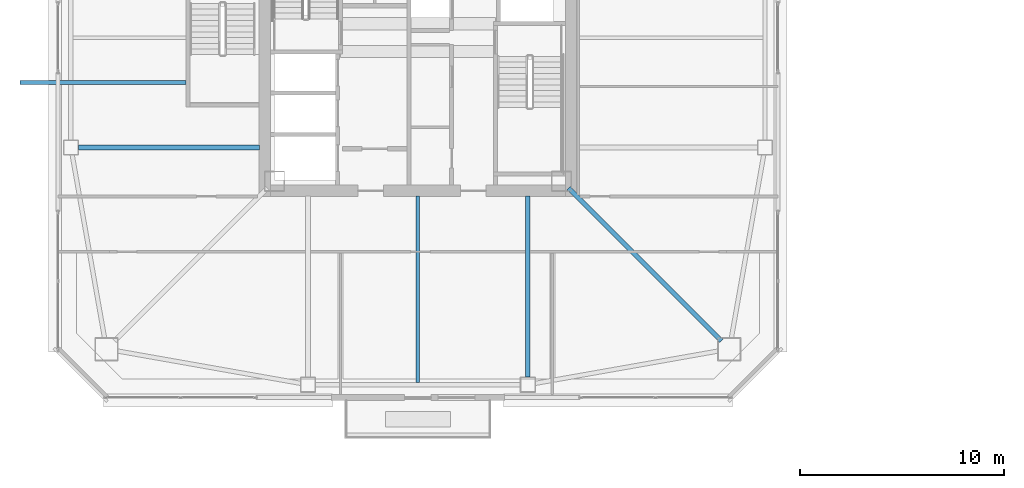
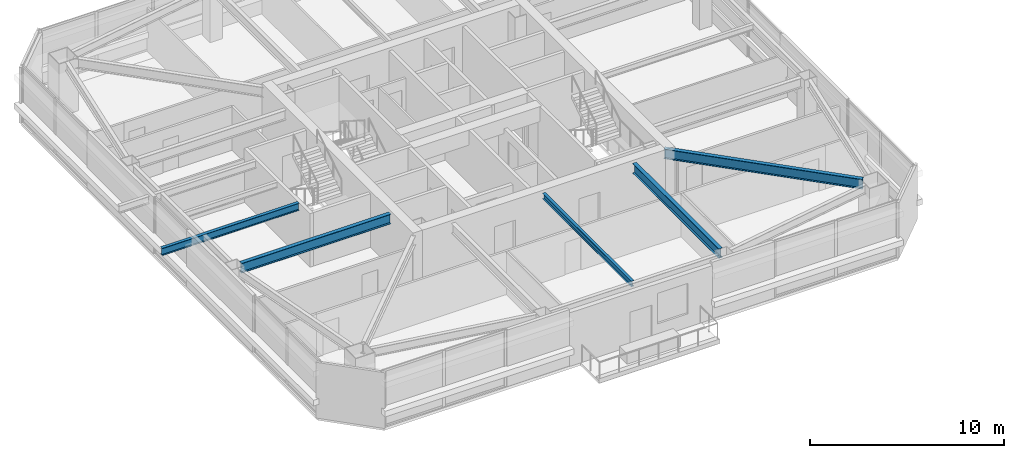
# One storey, part 7 of 44: 5 beams.
"""IFC4 building model written with IfcOpenShell, lengths in metres."""

from ifc_helpers import new_model, si_unit, direction, frame, origin, origin_2d, place, context, subcontext, project, spatial, i_section, extrude, material, material_profile, profile_set, type_object, element, save


model = new_model("IFC4")

# Units and contexts
model_context = context("Model", 3, precision=1e-05, world=origin(), true_north=direction((0.0, 1.0)))
body_context = subcontext(model_context, "Body", "Model", "MODEL_VIEW")
ifc_project = project(units=[si_unit("LENGTHUNIT", "METRE"), si_unit("AREAUNIT", "SQUARE_METRE"), si_unit("VOLUMEUNIT", "CUBIC_METRE"), si_unit("PLANEANGLEUNIT", "RADIAN"), si_unit("MASSUNIT", "GRAM", prefix="KILO")], contexts=[model_context])

# Site, building, storey
site_placement = place(None, origin())
site = spatial("IfcSite", under=ifc_project, at=site_placement, CompositionType="ELEMENT")
building_placement = place(site_placement, origin())
building = spatial("IfcBuilding", under=site, at=building_placement, Name="Tashvorn Skyway Center", CompositionType="ELEMENT")
storey_placement = place(building_placement, frame((0.0, 0.0, 181.85009765625)))
storey = spatial("IfcBuildingStorey", under=building, at=storey_placement, Name="L49", CompositionType="ELEMENT", Elevation=181.85009765625)

# Beams
ifc_material = material(Name="Steel ASTM A992 Grade 50", Category="steel")
ifc_material_profile_1 = material_profile(ifc_material, i_section(OverallWidth=0.22998046875, OverallDepth=0.616943359375, WebThickness=0.01318359375, FlangeThickness=0.022216796875, at=origin_2d()), Name="W24X94")
ifc_profile_set_1 = profile_set([ifc_material_profile_1], Name="Steel ASTM A992 Grade 50")
beam_type_1 = type_object("IfcBeamType", Name="BM-BEAM-W24X94", PredefinedType="BEAM", material=ifc_profile_set_1)
beam_1_placement = place(storey_placement, frame((56.89697265625, 17.10302734375, 3.0615234375), z_axis=(-0.707106781187, 0.707106781187, 0.0), x_axis=(-0.707106781187, -0.707106781187, 0.0)))
element("IfcBeam", 1, at=beam_1_placement, inside=storey, type_object=beam_type_1, Name="Tower 1 L49 Primary Floor Girder MC-SE", PredefinedType="BEAM", context=body_context, shape_type="SweptSolid", body=[
    extrude(i_section(OverallWidth=0.22998046875, OverallDepth=0.616943359375, WebThickness=0.01318359375, FlangeThickness=0.022216796875, at=origin_2d()), origin(), (0.0, 0.0, 1.0), 10.6025390625),
])
for number, where, z_axis, x_axis, name in (
    (2, (47.39990234375, 15.320068359375, 3.0615234375), (0.0, 1.0, 0.0), (-1.0, 0.0, 0.0), "Tower 1 L49 Primary Floor Girder FC-S2"),
    (3, (25.320068359375, 26.60009765625, 3.0615234375), (1.0, 0.0, 0.0), (0.0, 1.0, 0.0), "Tower 1 L49 Primary Floor Girder FC-W2"),
):
    element("IfcBeam", number, at=place(storey_placement, frame(where, z_axis=z_axis, x_axis=x_axis)), inside=storey, type_object=beam_type_1, Name=name, PredefinedType="BEAM", context=body_context, shape_type="SweptSolid", body=[
        extrude(i_section(OverallWidth=0.22998046875, OverallDepth=0.616943359375, WebThickness=0.01318359375, FlangeThickness=0.022216796875, at=origin_2d()), origin(), (0.0, 0.0, 1.0), 8.89990234375),
    ])
ifc_material_profile_2 = material_profile(ifc_material, i_section(OverallWidth=0.1708984375, OverallDepth=0.35498046875, WebThickness=0.007080078125, FlangeThickness=0.01171875, at=origin_2d()), Name="W14X34")
ifc_profile_set_2 = profile_set([ifc_material_profile_2], Name="Steel ASTM A992 Grade 50")
beam_type_2 = type_object("IfcBeamType", Name="BM-JOIST-W14X34", PredefinedType="JOIST", material=ifc_profile_set_2)
beam_2_placement = place(storey_placement, frame((42.0, 24.2099609375, 3.1923828125), z_axis=(0.0, -1.0, 0.0), x_axis=(1.0, 0.0, 0.0)))
element("IfcBeam", 4, at=beam_2_placement, inside=storey, type_object=beam_type_2, Name="Tower 1 L49 Secondary Composite Joist JS", PredefinedType="JOIST", context=body_context, shape_type="SweptSolid", body=[
    extrude(i_section(OverallWidth=0.1708984375, OverallDepth=0.35498046875, WebThickness=0.007080078125, FlangeThickness=0.01171875, at=origin_2d()), origin(), (0.0, 0.0, 1.0), 9.162353515625),
])
ifc_material_profile_3 = material_profile(ifc_material, i_section(OverallWidth=0.19091796875, OverallDepth=0.4599609375, WebThickness=0.010009765625, FlangeThickness=0.01611328125, at=origin_2d()), Name="W18X55")
ifc_profile_set_3 = profile_set([ifc_material_profile_3], Name="Steel ASTM A992 Grade 50")
beam_type_3 = type_object("IfcBeamType", Name="BM-JOIST-W18X55", PredefinedType="JOIST", material=ifc_profile_set_3)
beam_3_placement = place(storey_placement, frame((30.610107421875, 29.800048828125, 3.139892578125), z_axis=(-1.0, 0.0, 0.0), x_axis=(0.0, -1.0, 0.0)))
element("IfcBeam", 5, at=beam_3_placement, inside=storey, type_object=beam_type_3, Name="Tower 1 L50 Terrace Cantilever Outlooker 1", PredefinedType="JOIST", context=body_context, shape_type="SweptSolid", body=[
    extrude(i_section(OverallWidth=0.19091796875, OverallDepth=0.4599609375, WebThickness=0.010009765625, FlangeThickness=0.01611328125, at=origin_2d()), origin(), (0.0, 0.0, 1.0), 8.16015625),
])

save(model, "model.ifc")
